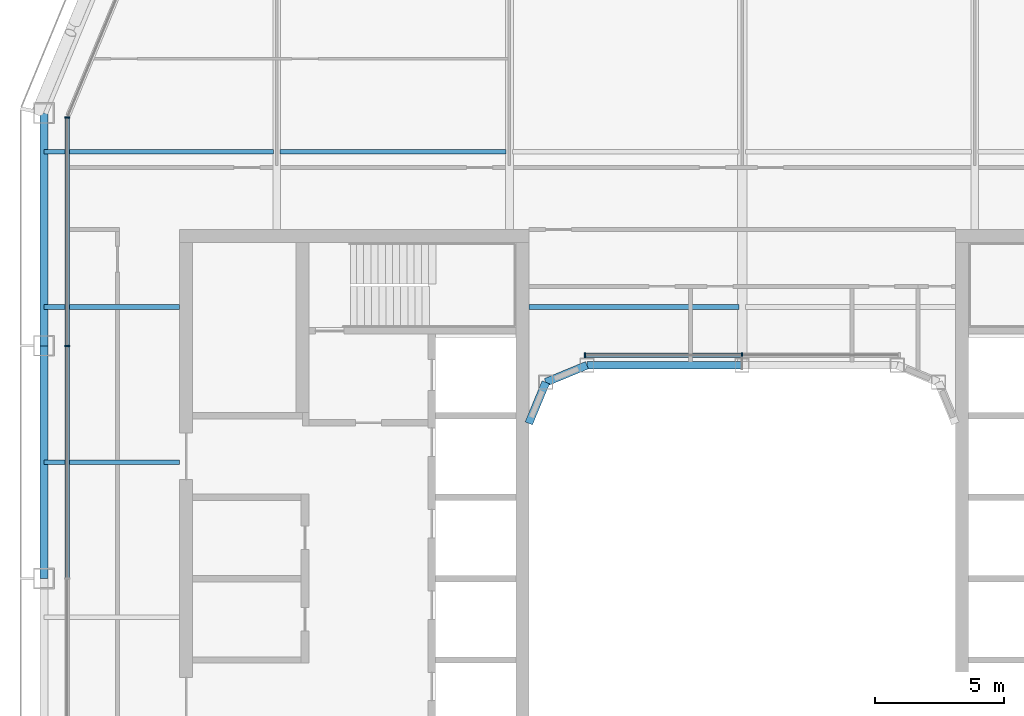
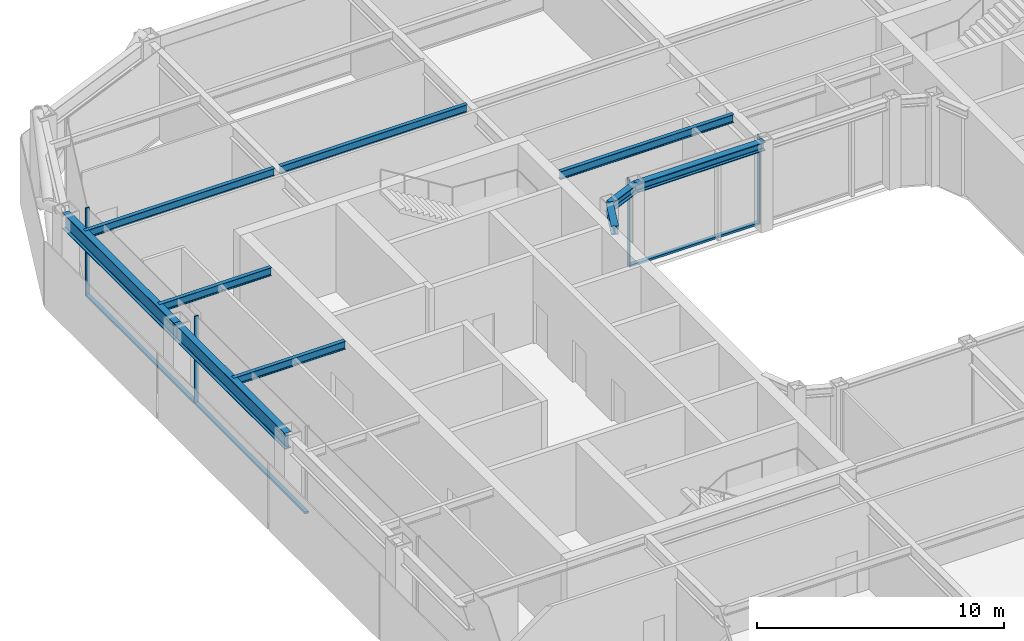
# One storey, part 6 of 22: 10 beams, 7 members, 2 elements without a shape of their own.
"""IFC4 building model written with IfcOpenShell, lengths in metres."""

import ifcopenshell
import ifcopenshell.guid

model = None  # the IFC model being written
_history = None  # IfcOwnerHistory: only IFC2X3 demands one
_inside = {}  # id of a spatial element -> (the spatial element, [elements in it])
_under = {}  # id of a project, library or spatial element -> (it, [spatial elements below it])
_declared = {}  # id of a project -> (the project, [libraries it declares])
_typed = {}  # id of a type object -> (the type object, [elements of that type])
_made_of = {}  # id of a material, layer set ... -> (it, [elements and type objects made of it])


def new_model(schema):
    """Start an empty IFC model of exactly this schema.

    Asked for "IFC4X3", IfcOpenShell would pick the latest addendum, in which some entities
    have other attributes; the version numbers below select the first issue.
    IFC2X3 requires an IfcOwnerHistory on every rooted entity: one is made here for all.
    """
    global model, _history
    if schema == "IFC4X3":
        model = ifcopenshell.file(schema_version=(4, 3, 0, 0))
    else:
        model = ifcopenshell.file(schema=schema)
    _inside.clear()
    _under.clear()
    _declared.clear()
    _typed.clear()
    _made_of.clear()
    _history = None
    if model.schema == "IFC2X3":
        org = make("IfcOrganization", Name="unknown")
        user = make(
            "IfcPersonAndOrganization",
            ThePerson=make("IfcPerson", FamilyName="unknown"),
            TheOrganization=org,
        )
        app = make(
            "IfcApplication",
            ApplicationDeveloper=org,
            Version="unknown",
            ApplicationFullName="unknown",
            ApplicationIdentifier="unknown",
        )
        _history = make(
            "IfcOwnerHistory",
            OwningUser=user,
            OwningApplication=app,
            ChangeAction="ADDED",
            CreationDate=0,
        )
    return model


def make(cls, **values):
    """One entity of the class cls with the attributes given. An attribute that is None is left unset."""
    return model.create_entity(
        cls, **{name: value for name, value in values.items() if value is not None}
    )


def rooted(cls, **values):
    """An entity with a GlobalId (a new one), such as an element, a storey or a relation."""
    return make(cls, GlobalId=ifcopenshell.guid.new(), OwnerHistory=_history, **values)


def si_unit(unit_type, name, prefix=None):
    """IfcSIUnit, for example si_unit("LENGTHUNIT", "METRE", prefix="MILLI")."""
    return make("IfcSIUnit", UnitType=unit_type, Prefix=prefix, Name=name)


def assignment(units):
    """IfcUnitAssignment: the units of a project."""
    return None if units is None else make("IfcUnitAssignment", Units=units)


def point(xyz):
    """IfcCartesianPoint."""
    return None if xyz is None else make("IfcCartesianPoint", Coordinates=xyz)


def direction(xyz):
    """IfcDirection."""
    return None if xyz is None else make("IfcDirection", DirectionRatios=xyz)


def frame(location, z_axis=None, x_axis=None):
    """IfcAxis2Placement3D, a coordinate frame: its origin and axes. An axis left out is left unset."""
    return make(
        "IfcAxis2Placement3D",
        Location=point(location),
        Axis=direction(z_axis),
        RefDirection=direction(x_axis),
    )


def frame_2d(location, x_axis=None):
    """IfcAxis2Placement2D, a coordinate frame in the plane: its origin and x axis."""
    return make(
        "IfcAxis2Placement2D", Location=point(location), RefDirection=direction(x_axis)
    )


def origin():
    """The frame at (0, 0, 0) with its axes left unset."""
    return frame((0.0, 0.0, 0.0))


def origin_2d():
    """The frame at (0, 0) in the plane with its x axis left unset."""
    return frame_2d((0.0, 0.0))


def place(relative_to, where):
    """IfcLocalPlacement: puts the frame where relative to a parent placement (None: the world)."""
    return make(
        "IfcLocalPlacement", PlacementRelTo=relative_to, RelativePlacement=where
    )


def context(
    kind, dimensions, precision=None, world=None, true_north=None, identifier=None
):
    """IfcGeometricRepresentationContext, for example the 3D "Model" context."""
    return make(
        "IfcGeometricRepresentationContext",
        ContextIdentifier=identifier,
        ContextType=kind,
        CoordinateSpaceDimension=dimensions,
        Precision=precision,
        WorldCoordinateSystem=world,
        TrueNorth=true_north,
    )


def subcontext(parent, identifier, kind, view, scale=None):
    """IfcGeometricRepresentationSubContext, for example "Body" below "Model"."""
    return make(
        "IfcGeometricRepresentationSubContext",
        ContextIdentifier=identifier,
        ContextType=kind,
        ParentContext=parent,
        TargetScale=scale,
        TargetView=view,
    )


def project(units=None, contexts=None):
    """IfcProject with its units and contexts."""
    return rooted(
        "IfcProject",
        Name="project",
        RepresentationContexts=contexts,
        UnitsInContext=assignment(units),
    )


def spatial(cls, under=None, at=None, **own):
    """A site, building, storey or space (cls), placed at a placement, below another one or the project."""
    s = rooted(cls, ObjectPlacement=at, **own)
    if under is not None:
        _under.setdefault(under.id(), (under, []))[1].append(s)
    return s


def profile(cls, at=None, kind="AREA", **sizes):
    """A parametric profile (cls). Its sizes go by their IFC names, for example OverallWidth=200.0."""
    return make(cls, ProfileType=kind, Position=at, **sizes)


def rectangle(**sizes):
    """IfcRectangleProfileDef."""
    return profile("IfcRectangleProfileDef", **sizes)


def i_section(**sizes):
    """IfcIShapeProfileDef."""
    return profile("IfcIShapeProfileDef", **sizes)


def extrude(swept, where, along, depth):
    """IfcExtrudedAreaSolid: the profile swept, set in the frame where, extruded along a direction by depth."""
    return make(
        "IfcExtrudedAreaSolid",
        SweptArea=swept,
        Position=where,
        ExtrudedDirection=direction(along),
        Depth=depth,
    )


def shape(context_of_items, identifier, shape_type, items):
    """IfcShapeRepresentation: the items that make up one representation, for example the "Body"."""
    return make(
        "IfcShapeRepresentation",
        ContextOfItems=context_of_items,
        RepresentationIdentifier=identifier,
        RepresentationType=shape_type,
        Items=items,
    )


def material(Name=None, Category=None):
    """IfcMaterial."""
    return make("IfcMaterial", Name=Name, Category=Category)


def layer(
    of_material, thickness, ventilated=None, Name=None, Category=None, Priority=None
):
    """IfcMaterialLayer: one layer of a wall or slab, of a material (None: an air gap)."""
    return make(
        "IfcMaterialLayer",
        Material=of_material,
        LayerThickness=thickness,
        IsVentilated=ventilated,
        Name=Name,
        Category=Category,
        Priority=Priority,
    )


def layer_set(layers, Name=None):
    """IfcMaterialLayerSet."""
    return make("IfcMaterialLayerSet", MaterialLayers=layers, LayerSetName=Name)


def material_profile(
    of_material, cross_section, Name=None, Category=None, Priority=None
):
    """IfcMaterialProfile: a cross section and its material."""
    return make(
        "IfcMaterialProfile",
        Name=Name,
        Material=of_material,
        Profile=cross_section,
        Priority=Priority,
        Category=Category,
    )


def profile_set(profiles, Name=None, composite=None):
    """IfcMaterialProfileSet."""
    return make(
        "IfcMaterialProfileSet",
        Name=Name,
        MaterialProfiles=profiles,
        CompositeProfile=composite,
    )


def made_of(thing, what):
    """Note that an element or type object is made of a material, layer set ...; save() writes the relation."""
    if what is not None:
        _made_of.setdefault(what.id(), (what, []))[1].append(thing)
    return thing


def type_object(cls, material=None, **own):
    """A type object (cls), such as IfcWallType, which elements share."""
    return made_of(rooted(cls, **own), material)


def element(
    cls,
    number,
    at=None,
    inside=None,
    cuts=None,
    type_object=None,
    material=None,
    context=None,
    identifier="Body",
    shape_type=None,
    held_by="IfcProductDefinitionShape",
    body=None,
    shapes=None,
    **own,
):
    """One element of the class cls, such as IfcWall. Its Tag is "e" and its number.

    at: its placement. inside: the storey or other place that contains it. cuts: it is an
    opening in that element (IfcRelVoidsElement). A single representation is given by context,
    identifier, shape_type and body (its items); several are given by shapes. held_by: the class
    of the entity that holds the representations. save() writes the other relations.
    """
    e = rooted(cls, Tag="e%d" % number, ObjectPlacement=at, **own)
    if body is not None:
        shapes = [shape(context, identifier, shape_type, body)]
    if shapes is not None:
        e.Representation = make(held_by, Representations=shapes)
    if inside is not None:
        _inside.setdefault(inside.id(), (inside, []))[1].append(e)
    if cuts is not None:
        rooted(
            "IfcRelVoidsElement", RelatingBuildingElement=cuts, RelatedOpeningElement=e
        )
    if type_object is not None:
        _typed.setdefault(type_object.id(), (type_object, []))[1].append(e)
    return made_of(e, material)


def aggregate(whole, parts):
    """IfcRelAggregates: a whole, such as a stair, and the parts it consists of."""
    return rooted("IfcRelAggregates", RelatingObject=whole, RelatedObjects=parts)


def save(model, path):
    """Write the relations noted so far, then the file.

    IfcRelAggregates (storeys below a building ...), IfcRelContainedInSpatialStructure (elements
    in a storey), IfcRelDefinesByType, IfcRelAssociatesMaterial and IfcRelDeclares: one each for
    every whole, place, type object, material and project.
    """
    for whole, parts in _under.values():
        aggregate(whole, parts)
    for where, things in _inside.values():
        rooted(
            "IfcRelContainedInSpatialStructure",
            RelatedElements=things,
            RelatingStructure=where,
        )
    for kind, things in _typed.values():
        rooted("IfcRelDefinesByType", RelatedObjects=things, RelatingType=kind)
    for what, things in _made_of.values():
        rooted("IfcRelAssociatesMaterial", RelatedObjects=things, RelatingMaterial=what)
    for by, libraries in _declared.values():
        rooted("IfcRelDeclares", RelatingContext=by, RelatedDefinitions=libraries)
    model.write(path)


model = new_model("IFC4")

# Units and contexts
model_context = context("Model", 3, precision=1e-05, world=origin(), true_north=direction((0.0, 1.0)))
body_context = subcontext(model_context, "Body", "Model", "MODEL_VIEW")
ifc_project = project(units=[si_unit("LENGTHUNIT", "METRE"), si_unit("AREAUNIT", "SQUARE_METRE"), si_unit("VOLUMEUNIT", "CUBIC_METRE"), si_unit("PLANEANGLEUNIT", "RADIAN"), si_unit("MASSUNIT", "GRAM", prefix="KILO")], contexts=[model_context])

# Site, building, storey
site_placement = place(None, origin())
site = spatial("IfcSite", under=ifc_project, at=site_placement, CompositionType="ELEMENT")
building_placement = place(site_placement, origin())
building = spatial("IfcBuilding", under=site, at=building_placement, Name="Siwar Civic Tower", CompositionType="ELEMENT")
storey_placement = place(building_placement, frame((0.0, 0.0, 255.699951171875)))
storey = spatial("IfcBuildingStorey", under=building, at=storey_placement, Name="L55", CompositionType="ELEMENT", Elevation=255.699951171875)

# Curtain wall, members
ifc_material_1 = material(Name="Aluminium and glass", Category="aluminium")
ifc_layer_1 = layer(ifc_material_1, 0.179931640625)
ifc_layer_set_1 = layer_set([ifc_layer_1], Name="Aluminium and glass")
curtain_wall_type_1 = type_object("IfcCurtainWallType", Name="ENV-CW-C", PredefinedType="NOTDEFINED", material=ifc_layer_set_1)
curtain_wall_1_placement = place(storey_placement, origin())
curtain_wall_1 = element("IfcCurtainWall", 1, at=curtain_wall_1_placement, inside=storey, type_object=curtain_wall_type_1, Name="Curtain wall C W", PredefinedType="NOTDEFINED")
ifc_material_2 = material(Name="Aluminium 6063-T6", Category="aluminium")
ifc_material_profile_1 = material_profile(ifc_material_2, rectangle(XDim=0.179931640625, YDim=0.06005859375, at=origin_2d()), Name="AL 180x60")
ifc_profile_set_1 = profile_set([ifc_material_profile_1], Name="Aluminium 6063-T6")
member_type_1 = type_object("IfcMemberType", Name="ENV-MULLION-C", PredefinedType="MULLION", material=ifc_profile_set_1)
member_1_placement = place(storey_placement, frame((-26.10009765625, 17.821044921875, 0.0), z_axis=(0.0, 0.0, 1.0), x_axis=(1.0, 0.0, 0.0)))
member_1 = element("IfcMember", 2, at=member_1_placement, type_object=member_type_1, Name="Mullion C W 1", PredefinedType="MULLION", context=body_context, shape_type="SweptSolid", body=[
    extrude(rectangle(XDim=0.179931640625, YDim=0.06005859375, at=origin_2d()), origin(), (0.0, 0.0, 1.0), 4.35009765625),
])
member_2_placement = place(storey_placement, frame((-26.10009765625, 9.0, 0.0), z_axis=(0.0, 0.0, 1.0), x_axis=(1.0, 0.0, 0.0)))
member_2 = element("IfcMember", 3, at=member_2_placement, type_object=member_type_1, Name="Mullion C W 2", PredefinedType="MULLION", context=body_context, shape_type="SweptSolid", body=[
    extrude(rectangle(XDim=0.179931640625, YDim=0.06005859375, at=origin_2d()), origin(), (0.0, 0.0, 1.0), 4.35009765625),
])

ifc_material_3 = material(Name="Aluminium and glass", Category="aluminium")
ifc_layer_2 = layer(ifc_material_3, 0.179931640625)
ifc_layer_set_2 = layer_set([ifc_layer_2], Name="Aluminium and glass")
curtain_wall_type_2 = type_object("IfcCurtainWallType", Name="ENV-CW-W", PredefinedType="NOTDEFINED", material=ifc_layer_set_2)
curtain_wall_2_placement = place(storey_placement, origin())
curtain_wall_2 = element("IfcCurtainWall", 4, at=curtain_wall_2_placement, inside=storey, type_object=curtain_wall_type_2, Name="Curtain wall W WN", PredefinedType="NOTDEFINED")
ifc_material_4 = material(Name="Aluminium 6063-T6", Category="aluminium")
ifc_material_profile_2 = material_profile(ifc_material_4, rectangle(XDim=0.179931640625, YDim=0.06005859375, at=origin_2d()), Name="AL 180x60")
ifc_profile_set_2 = profile_set([ifc_material_profile_2], Name="Aluminium 6063-T6")
member_type_2 = type_object("IfcMemberType", Name="ENV-MULLION-W", PredefinedType="MULLION", material=ifc_profile_set_2)
member_3_placement = place(storey_placement, frame((0.0, 8.635009765625, 0.0), z_axis=(0.0, 0.0, 1.0), x_axis=(0.0, -1.0, 0.0)))
member_3 = element("IfcMember", 5, at=member_3_placement, type_object=member_type_2, Name="Mullion W WN 2", PredefinedType="MULLION", context=body_context, shape_type="SweptSolid", body=[
    extrude(rectangle(XDim=0.179931640625, YDim=0.06005859375, at=origin_2d()), origin(), (0.0, 0.0, 1.0), 4.35009765625),
])
member_4_placement = place(storey_placement, frame((-6.07666015625, 8.635009765625, 0.0), z_axis=(0.0, 0.0, 1.0), x_axis=(0.0, -1.0, 0.0)))
member_4 = element("IfcMember", 6, at=member_4_placement, type_object=member_type_2, Name="Mullion W WN 3", PredefinedType="MULLION", context=body_context, shape_type="SweptSolid", body=[
    extrude(rectangle(XDim=0.179931640625, YDim=0.06005859375, at=origin_2d()), origin(), (0.0, 0.0, 1.0), 4.35009765625),
])

# Member
ifc_material_5 = material(Name="Aluminium 6063-T6", Category="aluminium")
ifc_material_profile_3 = material_profile(ifc_material_5, rectangle(XDim=0.179931640625, YDim=0.10009765625, at=origin_2d()), Name="AL 180x100")
ifc_profile_set_3 = profile_set([ifc_material_profile_3], Name="Aluminium 6063-T6")
member_type_3 = type_object("IfcMemberType", Name="ENV-TRANSOM-C", PredefinedType="USERDEFINED", material=ifc_profile_set_3)
member_5_placement = place(storey_placement, frame((-26.10009765625, 17.791015625, 0.050048828125), z_axis=(0.0, -1.0, 0.0), x_axis=(1.0, 0.0, 0.0)))
member_5 = element("IfcMember", 7, at=member_5_placement, type_object=member_type_3, Name="Transom C W 1", ObjectType="TRANSOM", PredefinedType="USERDEFINED", context=body_context, shape_type="SweptSolid", body=[
    extrude(rectangle(XDim=0.179931640625, YDim=0.10009765625, at=origin_2d()), origin(), (0.0, 0.0, 1.0), 8.760986328125),
])

member_6_placement = place(storey_placement, frame((-26.10009765625, 8.969970703125, 0.050048828125), z_axis=(0.0, -1.0, 0.0), x_axis=(1.0, 0.0, 0.0)))
member_6 = element("IfcMember", 8, at=member_6_placement, type_object=member_type_3, Name="Transom C W 2", ObjectType="TRANSOM", PredefinedType="USERDEFINED", context=body_context, shape_type="SweptSolid", body=[
    extrude(rectangle(XDim=0.179931640625, YDim=0.10009765625, at=origin_2d()), origin(), (0.0, 0.0, 1.0), 8.93994140625),
])

aggregate(curtain_wall_1, [member_1, member_2, member_5, member_6])

ifc_material_6 = material(Name="Aluminium 6063-T6", Category="aluminium")
ifc_material_profile_4 = material_profile(ifc_material_6, rectangle(XDim=0.179931640625, YDim=0.10009765625, at=origin_2d()), Name="AL 180x100")
ifc_profile_set_4 = profile_set([ifc_material_profile_4], Name="Aluminium 6063-T6")
member_type_4 = type_object("IfcMemberType", Name="ENV-TRANSOM-W", PredefinedType="USERDEFINED", material=ifc_profile_set_4)
member_7_placement = place(storey_placement, frame((-0.030029296875, 8.635009765625, 0.050048828125), z_axis=(-1.0, 0.0, 0.0), x_axis=(0.0, -1.0, 0.0)))
member_7 = element("IfcMember", 9, at=member_7_placement, type_object=member_type_4, Name="Transom W WN 2", ObjectType="TRANSOM", PredefinedType="USERDEFINED", context=body_context, shape_type="SweptSolid", body=[
    extrude(rectangle(XDim=0.179931640625, YDim=0.10009765625, at=origin_2d()), origin(), (0.0, 0.0, 1.0), 6.0166015625),
])

aggregate(curtain_wall_2, [member_3, member_4, member_7])

# Beams
ifc_material_7 = material(Name="Steel S355", Category="steel")
ifc_material_profile_5 = material_profile(ifc_material_7, i_section(OverallWidth=0.179931640625, OverallDepth=0.39990234375, WebThickness=0.008544921875, FlangeThickness=0.013427734375, FilletRadius=0.02099609375, at=origin_2d()), Name="IPE400")
ifc_profile_set_5 = profile_set([ifc_material_profile_5], Name="Steel S355")
beam_type_1 = type_object("IfcBeamType", Name="STR-FB-IPE400", PredefinedType="JOIST", material=ifc_profile_set_5)
for number, where, z_axis, x_axis, name in (
    (10, (-27.0, 4.5, 4.150146484375), (1.0, 0.0, 0.0), (0.0, 1.0, 0.0), "L55/bm/F025"),
    (11, (-27.0, 10.5, 4.150146484375), (1.0, 0.0, 0.0), (0.0, 1.0, 0.0), "L55/bm/F027"),
):
    element("IfcBeam", number, at=place(storey_placement, frame(where, z_axis=z_axis, x_axis=x_axis)), inside=storey, type_object=beam_type_1, Name=name, PredefinedType="JOIST", context=body_context, shape_type="SweptSolid", body=[
        extrude(i_section(OverallWidth=0.179931640625, OverallDepth=0.39990234375, WebThickness=0.008544921875, FlangeThickness=0.013427734375, FilletRadius=0.02099609375, at=origin_2d()), origin(), (0.0, 0.0, 1.0), 5.25),
    ])
beam_1_placement = place(storey_placement, frame((-8.25, 10.5, 4.150146484375), z_axis=(1.0, 0.0, 0.0), x_axis=(0.0, 1.0, 0.0)))
element("IfcBeam", 12, at=beam_1_placement, inside=storey, type_object=beam_type_1, Name="L55/bm/F028", PredefinedType="JOIST", context=body_context, shape_type="SweptSolid", body=[
    extrude(i_section(OverallWidth=0.179931640625, OverallDepth=0.39990234375, WebThickness=0.008544921875, FlangeThickness=0.013427734375, FilletRadius=0.02099609375, at=origin_2d()), origin(), (0.0, 0.0, 1.0), 8.1201171875),
])
beam_2_placement = place(storey_placement, frame((-27.0, 16.5, 4.150146484375), z_axis=(1.0, 0.0, 0.0), x_axis=(0.0, 1.0, 0.0)))
element("IfcBeam", 13, at=beam_2_placement, inside=storey, type_object=beam_type_1, Name="L55/bm/F031", PredefinedType="JOIST", context=body_context, shape_type="SweptSolid", body=[
    extrude(i_section(OverallWidth=0.179931640625, OverallDepth=0.39990234375, WebThickness=0.008544921875, FlangeThickness=0.013427734375, FilletRadius=0.02099609375, at=origin_2d()), origin(), (0.0, 0.0, 1.0), 8.8701171875),
])
beam_3_placement = place(storey_placement, frame((-17.8701171875, 16.5, 4.150146484375), z_axis=(1.0, 0.0, 0.0), x_axis=(0.0, 1.0, 0.0)))
element("IfcBeam", 14, at=beam_3_placement, inside=storey, type_object=beam_type_1, Name="L55/bm/F032", PredefinedType="JOIST", context=body_context, shape_type="SweptSolid", body=[
    extrude(i_section(OverallWidth=0.179931640625, OverallDepth=0.39990234375, WebThickness=0.008544921875, FlangeThickness=0.013427734375, FilletRadius=0.02099609375, at=origin_2d()), origin(), (0.0, 0.0, 1.0), 8.740234375),
])
ifc_material_8 = material(Name="Steel S355", Category="steel")
ifc_material_profile_6 = material_profile(ifc_material_8, i_section(OverallWidth=0.306884765625, OverallDepth=0.431884765625, WebThickness=0.02099609375, FlangeThickness=0.0400390625, FilletRadius=0.027099609375, at=origin_2d()), Name="HEM400")
ifc_profile_set_6 = profile_set([ifc_material_profile_6], Name="Steel S355")
beam_type_2 = type_object("IfcBeamType", Name="STR-RB-HEM400", PredefinedType="BEAM", material=ifc_profile_set_6)
beam_4_placement = place(storey_placement, frame((-7.591064453125, 7.591064453125, 4.134033203125), z_axis=(0.923901072997, 0.382631424892, 0.0), x_axis=(-0.382631424892, 0.923901072997, 0.0)))
element("IfcBeam", 15, at=beam_4_placement, inside=storey, type_object=beam_type_2, Name="L55/bm/RN0", PredefinedType="BEAM", context=body_context, shape_type="SweptSolid", body=[
    extrude(i_section(OverallWidth=0.306884765625, OverallDepth=0.431884765625, WebThickness=0.02099609375, FlangeThickness=0.0400390625, FilletRadius=0.027099609375, at=origin_2d()), origin(), (0.0, 0.0, 1.0), 1.72216796875),
])
beam_5_placement = place(storey_placement, frame((-6.0, 8.25, 4.134033203125), z_axis=(1.0, 0.0, 0.0), x_axis=(0.0, 1.0, 0.0)))
element("IfcBeam", 16, at=beam_5_placement, inside=storey, type_object=beam_type_2, Name="L55/bm/RN1", PredefinedType="BEAM", context=body_context, shape_type="SweptSolid", body=[
    extrude(i_section(OverallWidth=0.306884765625, OverallDepth=0.431884765625, WebThickness=0.02099609375, FlangeThickness=0.0400390625, FilletRadius=0.027099609375, at=origin_2d()), origin(), (0.0, 0.0, 1.0), 6.0),
])
beam_6_placement = place(storey_placement, frame((-7.591064453125, 7.591064453125, 4.134033203125), z_axis=(-0.382631424892, -0.923901072997, 0.0), x_axis=(0.923901072997, -0.382631424892, 0.0)))
element("IfcBeam", 17, at=beam_6_placement, inside=storey, type_object=beam_type_2, Name="L55/bm/RNEW", PredefinedType="BEAM", context=body_context, shape_type="SweptSolid", body=[
    extrude(i_section(OverallWidth=0.306884765625, OverallDepth=0.431884765625, WebThickness=0.02099609375, FlangeThickness=0.0400390625, FilletRadius=0.027099609375, at=origin_2d()), origin(), (0.0, 0.0, 1.0), 1.72216796875),
])
ifc_material_9 = material(Name="Steel S355", Category="steel")
ifc_material_profile_7 = material_profile(ifc_material_9, i_section(OverallWidth=0.300048828125, OverallDepth=0.800048828125, WebThickness=0.017578125, FlangeThickness=0.032958984375, FilletRadius=0.030029296875, at=origin_2d()), Name="HEB800")
ifc_profile_set_7 = profile_set([ifc_material_profile_7], Name="Steel S355")
beam_type_3 = type_object("IfcBeamType", Name="STR-SB-HEB800", PredefinedType="BEAM", material=ifc_profile_set_7)
for number, where, z_axis, x_axis, name in (
    (18, (-27.0, 18.0, 3.949951171875), (0.0, -1.0, 0.0), (1.0, 0.0, 0.0), "L55/bm/SW-0"),
    (19, (-27.0, 9.0, 3.949951171875), (0.0, -1.0, 0.0), (1.0, 0.0, 0.0), "L55/bm/SW-1"),
):
    element("IfcBeam", number, at=place(storey_placement, frame(where, z_axis=z_axis, x_axis=x_axis)), inside=storey, type_object=beam_type_3, Name=name, PredefinedType="BEAM", context=body_context, shape_type="SweptSolid", body=[
        extrude(i_section(OverallWidth=0.300048828125, OverallDepth=0.800048828125, WebThickness=0.017578125, FlangeThickness=0.032958984375, FilletRadius=0.030029296875, at=origin_2d()), origin(), (0.0, 0.0, 1.0), 9.0),
    ])

save(model, "model.ifc")
